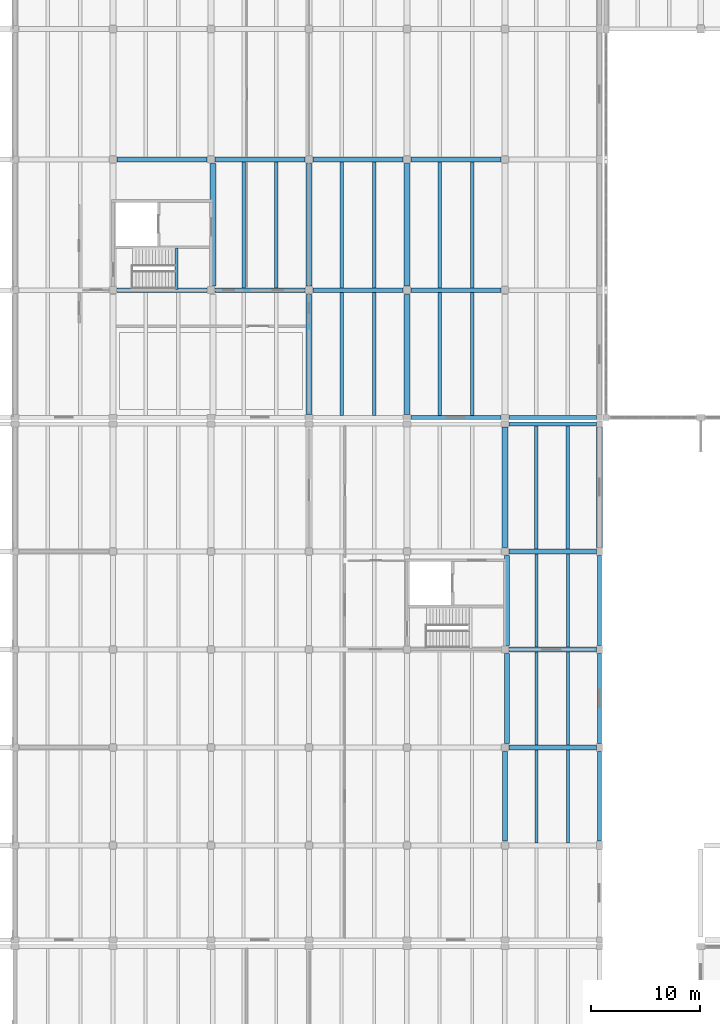
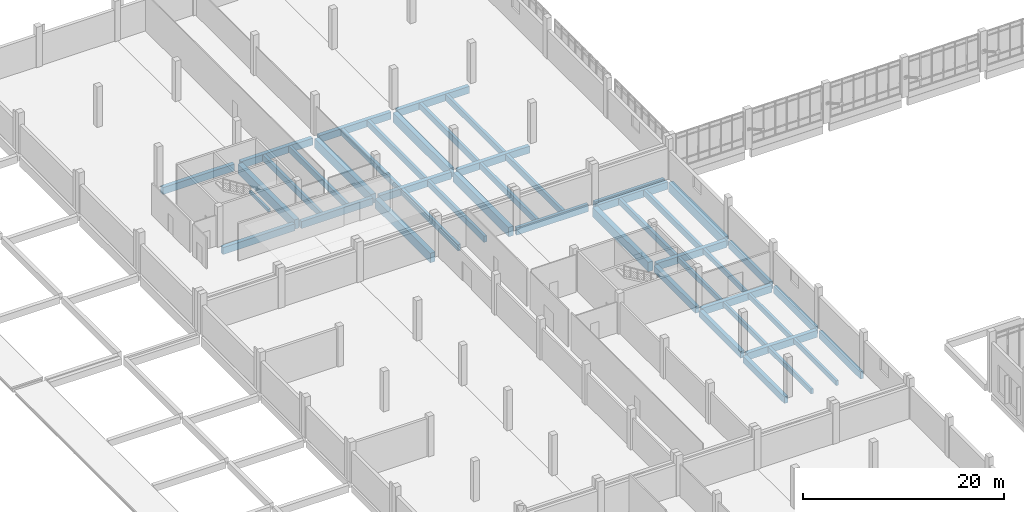
# One storey, part 22 of 110: 46 beams.
"""IFC4 building model written with IfcOpenShell, lengths in metres."""

from ifc_helpers import new_model, si_unit, direction, frame, origin, origin_2d, place, context, subcontext, project, spatial, rectangle, extrude, material, material_profile, profile_set, type_object, element, save


model = new_model("IFC4")

# Units and contexts
model_context = context("Model", 3, precision=1e-05, world=origin(), true_north=direction((0.0, 1.0)))
body_context = subcontext(model_context, "Body", "Model", "MODEL_VIEW")
ifc_project = project(units=[si_unit("LENGTHUNIT", "METRE"), si_unit("AREAUNIT", "SQUARE_METRE"), si_unit("VOLUMEUNIT", "CUBIC_METRE"), si_unit("PLANEANGLEUNIT", "RADIAN"), si_unit("MASSUNIT", "GRAM", prefix="KILO")], contexts=[model_context])

# Site, building, storey
site_placement = place(None, origin())
site = spatial("IfcSite", under=ifc_project, at=site_placement, CompositionType="ELEMENT")
building_placement = place(site_placement, origin())
building = spatial("IfcBuilding", under=site, at=building_placement, Name="Zacnel Wholesale Market", CompositionType="ELEMENT")
storey_placement = place(building_placement, frame((0.0, 0.0, 6.300048828125)))
storey = spatial("IfcBuildingStorey", under=building, at=storey_placement, Name="L02", CompositionType="ELEMENT", Elevation=6.300048828125)

# Beams
ifc_material_1 = material(Name="Precast concrete C45/55", Category="concrete")
ifc_material_profile_1 = material_profile(ifc_material_1, rectangle(XDim=0.280029296875, YDim=0.60009765625, at=origin_2d()), Name="DT RIB 280x600")
ifc_profile_set_1 = profile_set([ifc_material_profile_1], Name="Precast concrete C45/55")
beam_type_1 = type_object("IfcBeamType", Name="BM-DT600", PredefinedType="JOIST", material=ifc_profile_set_1)
for number, where, z_axis, x_axis, name in (
    (1, (65.89990234375, 57.22509765625, -0.6201171875), (0.0, 1.0, 0.0), (-1.0, 0.0, 0.0), "Precast secondary joist L02-0213"),
    (2, (68.800048828125, 57.22509765625, -0.6201171875), (0.0, 1.0, 0.0), (-1.0, 0.0, 0.0), "Precast secondary joist L02-0214"),
    (3, (65.89990234375, 66.22509765625, -0.6201171875), (0.0, 1.0, 0.0), (-1.0, 0.0, 0.0), "Precast secondary joist L02-0233"),
    (4, (68.800048828125, 66.22509765625, -0.6201171875), (0.0, 1.0, 0.0), (-1.0, 0.0, 0.0), "Precast secondary joist L02-0234"),
    (5, (65.89990234375, 75.22509765625, -0.6201171875), (0.0, 1.0, 0.0), (-1.0, 0.0, 0.0), "Precast secondary joist L02-0249"),
    (6, (68.800048828125, 75.22509765625, -0.6201171875), (0.0, 1.0, 0.0), (-1.0, 0.0, 0.0), "Precast secondary joist L02-0250"),
):
    element("IfcBeam", number, at=place(storey_placement, frame(where, z_axis=z_axis, x_axis=x_axis)), inside=storey, type_object=beam_type_1, Name=name, PredefinedType="JOIST", context=body_context, shape_type="SweptSolid", body=[
        extrude(rectangle(XDim=0.280029296875, YDim=0.60009765625, at=origin_2d()), origin(), (0.0, 0.0, 1.0), 8.5498046875),
    ])
ifc_material_2 = material(Name="Precast concrete C45/55", Category="concrete")
ifc_material_profile_2 = material_profile(ifc_material_2, rectangle(XDim=0.320068359375, YDim=0.75, at=origin_2d()), Name="DT RIB 320x750")
ifc_profile_set_2 = profile_set([ifc_material_profile_2], Name="Precast concrete C45/55")
beam_type_2 = type_object("IfcBeamType", Name="BM-DT750", PredefinedType="JOIST", material=ifc_profile_set_2)
for number, where, z_axis, x_axis, name in (
    (7, (65.89990234375, 84.22509765625, -0.695068359375), (0.0, 1.0, 0.0), (-1.0, 0.0, 0.0), "Precast secondary joist L02-0269"),
    (8, (68.800048828125, 84.22509765625, -0.695068359375), (0.0, 1.0, 0.0), (-1.0, 0.0, 0.0), "Precast secondary joist L02-0270"),
    (9, (48.0, 96.47509765625, -0.695068359375), (0.0, 1.0, 0.0), (-1.0, 0.0, 0.0), "Precast secondary joist L02-0285"),
    (10, (51.0, 96.47509765625, -0.695068359375), (0.0, 1.0, 0.0), (-1.0, 0.0, 0.0), "Precast secondary joist L02-0286"),
    (11, (57.0, 96.47509765625, -0.695068359375), (0.0, 1.0, 0.0), (-1.0, 0.0, 0.0), "Precast secondary joist L02-0287"),
    (12, (60.0, 96.47509765625, -0.695068359375), (0.0, 1.0, 0.0), (-1.0, 0.0, 0.0), "Precast secondary joist L02-0288"),
):
    element("IfcBeam", number, at=place(storey_placement, frame(where, z_axis=z_axis, x_axis=x_axis)), inside=storey, type_object=beam_type_2, Name=name, PredefinedType="JOIST", context=body_context, shape_type="SweptSolid", body=[
        extrude(rectangle(XDim=0.320068359375, YDim=0.75, at=origin_2d()), origin(), (0.0, 0.0, 1.0), 11.2998046875),
    ])
for number, where, z_axis, x_axis, name in (
    (13, (39.0, 108.22509765625, -0.695068359375), (0.0, 1.0, 0.0), (-1.0, 0.0, 0.0), "Precast secondary joist L02-0293"),
    (14, (42.0, 108.22509765625, -0.695068359375), (0.0, 1.0, 0.0), (-1.0, 0.0, 0.0), "Precast secondary joist L02-0294"),
    (15, (48.0, 108.22509765625, -0.695068359375), (0.0, 1.0, 0.0), (-1.0, 0.0, 0.0), "Precast secondary joist L02-0295"),
    (16, (51.0, 108.22509765625, -0.695068359375), (0.0, 1.0, 0.0), (-1.0, 0.0, 0.0), "Precast secondary joist L02-0296"),
    (17, (57.0, 108.22509765625, -0.695068359375), (0.0, 1.0, 0.0), (-1.0, 0.0, 0.0), "Precast secondary joist L02-0297"),
    (18, (60.0, 108.22509765625, -0.695068359375), (0.0, 1.0, 0.0), (-1.0, 0.0, 0.0), "Precast secondary joist L02-0298"),
):
    element("IfcBeam", number, at=place(storey_placement, frame(where, z_axis=z_axis, x_axis=x_axis)), inside=storey, type_object=beam_type_2, Name=name, PredefinedType="JOIST", context=body_context, shape_type="SweptSolid", body=[
        extrude(rectangle(XDim=0.320068359375, YDim=0.75, at=origin_2d()), origin(), (0.0, 0.0, 1.0), 11.5498046875),
    ])
ifc_material_3 = material(Name="Precast concrete C45/55", Category="concrete")
ifc_material_profile_3 = material_profile(ifc_material_3, rectangle(XDim=0.25, YDim=0.35009765625, at=origin_2d()), Name="LN 250x350")
ifc_profile_set_3 = profile_set([ifc_material_profile_3], Name="Precast concrete C45/55")
beam_type_3 = type_object("IfcBeamType", Name="BM-LN350", PredefinedType="LINTEL", material=ifc_profile_set_3)
beam_1_placement = place(storey_placement, frame((32.860107421875, 108.080078125, 2.074951171875), z_axis=(0.0, 1.0, 0.0), x_axis=(-1.0, 0.0, 0.0)))
element("IfcBeam", 19, at=beam_1_placement, inside=storey, type_object=beam_type_3, Name="Stair ST-13 half-landing bearing beam", PredefinedType="LINTEL", context=body_context, shape_type="SweptSolid", body=[
    extrude(rectangle(XDim=0.25, YDim=0.35009765625, at=origin_2d()), origin(), (0.0, 0.0, 1.0), 3.7900390625),
])
ifc_material_4 = material(Name="Precast concrete C45/55", Category="concrete")
ifc_material_profile_4 = material_profile(ifc_material_4, rectangle(XDim=0.550048828125, YDim=1.14990234375, at=origin_2d()), Name="PG 550x1150")
ifc_profile_set_4 = profile_set([ifc_material_profile_4], Name="Precast concrete C45/55")
beam_type_4 = type_object("IfcBeamType", Name="BM-PG1150", PredefinedType="T_BEAM", material=ifc_profile_set_4)
beam_2_placement = place(storey_placement, frame((36.179931640625, 108.375, -0.89501953125), z_axis=(0.0, 1.0, 0.0), x_axis=(-1.0, 0.0, 0.0)))
element("IfcBeam", 20, at=beam_2_placement, inside=storey, type_object=beam_type_4, Name="Precast girder Y-0357", PredefinedType="T_BEAM", context=body_context, shape_type="SweptSolid", body=[
    extrude(rectangle(XDim=0.550048828125, YDim=1.14990234375, at=origin_2d()), origin(), (0.0, 0.0, 1.0), 11.25),
])
beam_3_placement = place(storey_placement, frame((45.0, 96.574951171875, -0.89501953125), z_axis=(0.0, 1.0, 0.0), x_axis=(-1.0, 0.0, 0.0)))
element("IfcBeam", 21, at=beam_3_placement, inside=storey, type_object=beam_type_4, Name="Precast girder Y-0368", PredefinedType="T_BEAM", context=body_context, shape_type="SweptSolid", body=[
    extrude(rectangle(XDim=0.550048828125, YDim=1.14990234375, at=origin_2d()), origin(), (0.0, 0.0, 1.0), 11.050048828125),
])
beam_4_placement = place(storey_placement, frame((45.0, 108.375, -0.89501953125), z_axis=(0.0, 1.0, 0.0), x_axis=(-1.0, 0.0, 0.0)))
element("IfcBeam", 22, at=beam_4_placement, inside=storey, type_object=beam_type_4, Name="Precast girder Y-0369", PredefinedType="T_BEAM", context=body_context, shape_type="SweptSolid", body=[
    extrude(rectangle(XDim=0.550048828125, YDim=1.14990234375, at=origin_2d()), origin(), (0.0, 0.0, 1.0), 11.25),
])
beam_5_placement = place(storey_placement, frame((54.0, 96.574951171875, -0.89501953125), z_axis=(0.0, 1.0, 0.0), x_axis=(-1.0, 0.0, 0.0)))
element("IfcBeam", 23, at=beam_5_placement, inside=storey, type_object=beam_type_4, Name="Precast girder Y-0383", PredefinedType="T_BEAM", context=body_context, shape_type="SweptSolid", body=[
    extrude(rectangle(XDim=0.550048828125, YDim=1.14990234375, at=origin_2d()), origin(), (0.0, 0.0, 1.0), 11.050048828125),
])
beam_6_placement = place(storey_placement, frame((54.0, 108.375, -0.89501953125), z_axis=(0.0, 1.0, 0.0), x_axis=(-1.0, 0.0, 0.0)))
element("IfcBeam", 24, at=beam_6_placement, inside=storey, type_object=beam_type_4, Name="Precast girder Y-0384", PredefinedType="T_BEAM", context=body_context, shape_type="SweptSolid", body=[
    extrude(rectangle(XDim=0.550048828125, YDim=1.14990234375, at=origin_2d()), origin(), (0.0, 0.0, 1.0), 11.25),
])
for number, where, z_axis, x_axis, name in (
    (25, (63.0, 84.375, -0.89501953125), (0.0, 1.0, 0.0), (-1.0, 0.0, 0.0), "Precast girder Y-0396"),
    (26, (71.699951171875, 84.375, -0.89501953125), (0.0, 1.0, 0.0), (-1.0, 0.0, 0.0), "Precast girder Y-0411"),
):
    element("IfcBeam", number, at=place(storey_placement, frame(where, z_axis=z_axis, x_axis=x_axis)), inside=storey, type_object=beam_type_4, Name=name, PredefinedType="T_BEAM", context=body_context, shape_type="SweptSolid", body=[
        extrude(rectangle(XDim=0.550048828125, YDim=1.14990234375, at=origin_2d()), origin(), (0.0, 0.0, 1.0), 11.050048828125),
    ])
ifc_material_5 = material(Name="Precast concrete C45/55", Category="concrete")
ifc_material_profile_5 = material_profile(ifc_material_5, rectangle(XDim=0.449951171875, YDim=0.800048828125, at=origin_2d()), Name="PG 450x800")
ifc_profile_set_5 = profile_set([ifc_material_profile_5], Name="Precast concrete C45/55")
beam_type_5 = type_object("IfcBeamType", Name="BM-PG800", PredefinedType="BEAM", material=ifc_profile_set_5)
for number, where, z_axis, x_axis, name in (
    (27, (63.0, 57.375, -0.719970703125), (0.0, 1.0, 0.0), (-1.0, 0.0, 0.0), "Precast girder Y-0393"),
    (28, (63.179931640625, 66.375, -0.719970703125), (0.0, 1.0, 0.0), (-1.0, 0.0, 0.0), "Precast girder Y-0394"),
    (29, (63.179931640625, 75.375, -0.719970703125), (0.0, 1.0, 0.0), (-1.0, 0.0, 0.0), "Precast girder Y-0395"),
):
    element("IfcBeam", number, at=place(storey_placement, frame(where, z_axis=z_axis, x_axis=x_axis)), inside=storey, type_object=beam_type_5, Name=name, PredefinedType="BEAM", context=body_context, shape_type="SweptSolid", body=[
        extrude(rectangle(XDim=0.449951171875, YDim=0.800048828125, at=origin_2d()), origin(), (0.0, 0.0, 1.0), 8.25),
    ])
ifc_material_6 = material(Name="Precast concrete C45/55", Category="concrete")
ifc_material_profile_6 = material_profile(ifc_material_6, rectangle(XDim=0.449951171875, YDim=0.85009765625, at=origin_2d()), Name="PG 450x850")
ifc_profile_set_6 = profile_set([ifc_material_profile_6], Name="Precast concrete C45/55")
beam_type_6 = type_object("IfcBeamType", Name="BM-PG850", PredefinedType="BEAM", material=ifc_profile_set_6)
for number, where, z_axis, x_axis, name in (
    (30, (63.375, 66.0, -0.7451171875), (1.0, 0.0, 0.0), (0.0, 1.0, 0.0), "Precast girder X-0180"),
    (31, (63.375, 75.0, -0.7451171875), (1.0, 0.0, 0.0), (0.0, 1.0, 0.0), "Precast girder X-0192"),
    (32, (63.375, 84.0, -0.7451171875), (1.0, 0.0, 0.0), (0.0, 1.0, 0.0), "Precast girder X-0204"),
):
    element("IfcBeam", number, at=place(storey_placement, frame(where, z_axis=z_axis, x_axis=x_axis)), inside=storey, type_object=beam_type_6, Name=name, PredefinedType="BEAM", context=body_context, shape_type="SweptSolid", body=[
        extrude(rectangle(XDim=0.449951171875, YDim=0.85009765625, at=origin_2d()), origin(), (0.0, 0.0, 1.0), 8.050048828125),
    ])
for number, where, z_axis, x_axis, name in (
    (33, (27.375, 108.0, -0.7451171875), (1.0, 0.0, 0.0), (0.0, 1.0, 0.0), "Precast girder X-0245"),
    (34, (36.375, 108.0, -0.7451171875), (1.0, 0.0, 0.0), (0.0, 1.0, 0.0), "Precast girder X-0246"),
    (35, (45.375, 108.0, -0.7451171875), (1.0, 0.0, 0.0), (0.0, 1.0, 0.0), "Precast girder X-0247"),
    (36, (54.375, 108.0, -0.7451171875), (1.0, 0.0, 0.0), (0.0, 1.0, 0.0), "Precast girder X-0248"),
    (37, (27.375, 120.0, -0.7451171875), (1.0, 0.0, 0.0), (0.0, 1.0, 0.0), "Precast girder X-0253"),
    (38, (36.375, 120.0, -0.7451171875), (1.0, 0.0, 0.0), (0.0, 1.0, 0.0), "Precast girder X-0254"),
    (39, (45.375, 120.0, -0.7451171875), (1.0, 0.0, 0.0), (0.0, 1.0, 0.0), "Precast girder X-0255"),
    (40, (54.375, 120.0, -0.7451171875), (1.0, 0.0, 0.0), (0.0, 1.0, 0.0), "Precast girder X-0256"),
):
    element("IfcBeam", number, at=place(storey_placement, frame(where, z_axis=z_axis, x_axis=x_axis)), inside=storey, type_object=beam_type_6, Name=name, PredefinedType="BEAM", context=body_context, shape_type="SweptSolid", body=[
        extrude(rectangle(XDim=0.449951171875, YDim=0.85009765625, at=origin_2d()), origin(), (0.0, 0.0, 1.0), 8.25),
    ])
ifc_material_7 = material(Name="Precast concrete C45/55", Category="concrete")
ifc_material_profile_7 = material_profile(ifc_material_7, rectangle(XDim=0.35009765625, YDim=0.89990234375, at=origin_2d()), Name="SP 350x900")
ifc_profile_set_7 = profile_set([ifc_material_profile_7], Name="Precast concrete C45/55")
beam_type_7 = type_object("IfcBeamType", Name="BM-SP900", PredefinedType="SPANDREL", material=ifc_profile_set_7)
beam_7_placement = place(storey_placement, frame((63.375, 95.699951171875, -0.77001953125), z_axis=(1.0, 0.0, 0.0), x_axis=(0.0, 1.0, 0.0)))
element("IfcBeam", 41, at=beam_7_placement, inside=storey, type_object=beam_type_7, Name="Precast girder X-0216", PredefinedType="SPANDREL", context=body_context, shape_type="SweptSolid", body=[
    extrude(rectangle(XDim=0.35009765625, YDim=0.89990234375, at=origin_2d()), origin(), (0.0, 0.0, 1.0), 8.050048828125),
])
beam_8_placement = place(storey_placement, frame((54.375, 96.300048828125, -0.77001953125), z_axis=(1.0, 0.0, 0.0), x_axis=(0.0, 1.0, 0.0)))
element("IfcBeam", 42, at=beam_8_placement, inside=storey, type_object=beam_type_7, Name="Precast girder X-0227", PredefinedType="SPANDREL", context=body_context, shape_type="SweptSolid", body=[
    extrude(rectangle(XDim=0.35009765625, YDim=0.89990234375, at=origin_2d()), origin(), (0.0, 0.0, 1.0), 8.25),
])
beam_9_placement = place(storey_placement, frame((63.375, 96.300048828125, -0.77001953125), z_axis=(1.0, 0.0, 0.0), x_axis=(0.0, 1.0, 0.0)))
element("IfcBeam", 43, at=beam_9_placement, inside=storey, type_object=beam_type_7, Name="Precast girder X-0228", PredefinedType="SPANDREL", context=body_context, shape_type="SweptSolid", body=[
    extrude(rectangle(XDim=0.35009765625, YDim=0.89990234375, at=origin_2d()), origin(), (0.0, 0.0, 1.0), 8.050048828125),
])
for number, where, z_axis, x_axis, name in (
    (44, (71.699951171875, 57.375, -0.77001953125), (0.0, 1.0, 0.0), (-1.0, 0.0, 0.0), "Precast girder Y-0408"),
    (45, (71.699951171875, 66.375, -0.77001953125), (0.0, 1.0, 0.0), (-1.0, 0.0, 0.0), "Precast girder Y-0409"),
    (46, (71.699951171875, 75.375, -0.77001953125), (0.0, 1.0, 0.0), (-1.0, 0.0, 0.0), "Precast girder Y-0410"),
):
    element("IfcBeam", number, at=place(storey_placement, frame(where, z_axis=z_axis, x_axis=x_axis)), inside=storey, type_object=beam_type_7, Name=name, PredefinedType="SPANDREL", context=body_context, shape_type="SweptSolid", body=[
        extrude(rectangle(XDim=0.35009765625, YDim=0.89990234375, at=origin_2d()), origin(), (0.0, 0.0, 1.0), 8.25),
    ])

save(model, "model.ifc")
